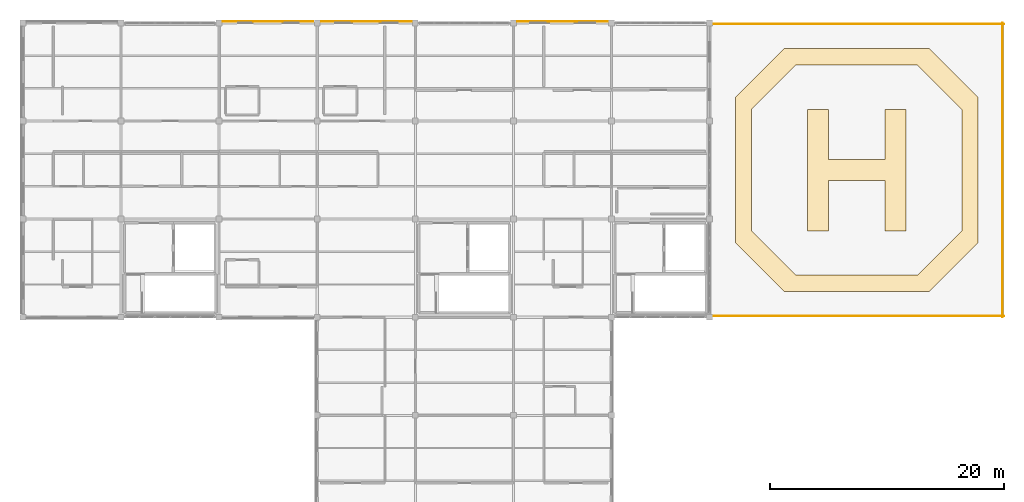
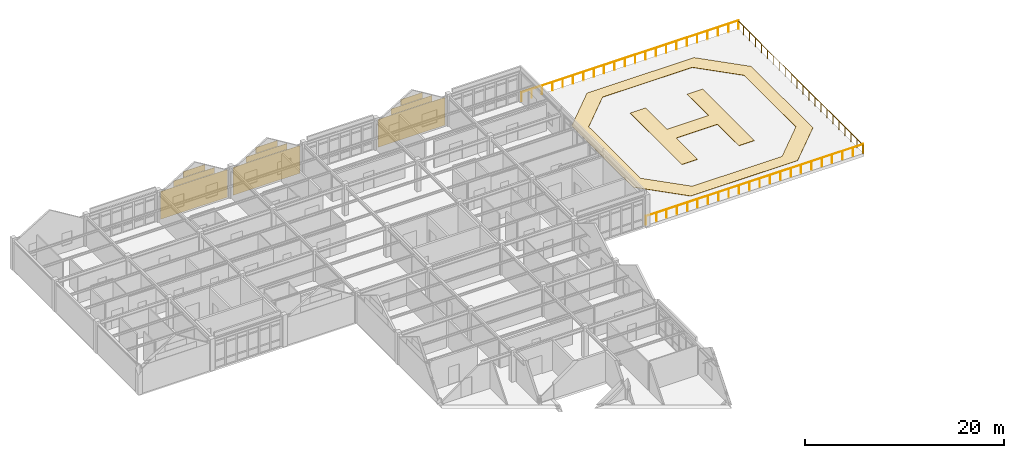
# One storey, part 45 of 45: 11 coverings, 3 railings.
"""IFC4 building model written with IfcOpenShell, lengths in metres."""

from ifc_helpers import new_model, si_unit, direction, frame, origin, origin_2d, place, context, subcontext, project, spatial, polyline, rectangle, circle, outline, extrude, material, layer, layer_set, type_object, element, save


model = new_model("IFC4")

# Units and contexts
model_context = context("Model", 3, precision=1e-05, world=origin(), true_north=direction((0.0, 1.0)))
body_context = subcontext(model_context, "Body", "Model", "MODEL_VIEW")
ifc_project = project(units=[si_unit("LENGTHUNIT", "METRE"), si_unit("AREAUNIT", "SQUARE_METRE"), si_unit("VOLUMEUNIT", "CUBIC_METRE"), si_unit("PLANEANGLEUNIT", "RADIAN"), si_unit("MASSUNIT", "GRAM", prefix="KILO")], contexts=[model_context])

# Site, building, storey
site_placement = place(None, origin())
site = spatial("IfcSite", under=ifc_project, at=site_placement, CompositionType="ELEMENT")
building_placement = place(site_placement, origin())
building = spatial("IfcBuilding", under=site, at=building_placement, Name="Bramfleet General Hospital", CompositionType="ELEMENT")
storey_placement = place(building_placement, frame((0.0, 0.0, 30.300048828125)))
storey = spatial("IfcBuildingStorey", under=building, at=storey_placement, Name="L07", CompositionType="ELEMENT", Elevation=30.300048828125)

# Coverings
ifc_material_1 = material(Name="Ventilated European larch timber cladding", Category="wood")
ifc_layer_1 = layer(ifc_material_1, 0.028076171875, Name="COV-WOOD-CLAD")
ifc_layer_set_1 = layer_set([ifc_layer_1], Name="Ventilated European larch timber cladding")
covering_type_1 = type_object("IfcCoveringType", Name="COV-WOOD-CLAD", PredefinedType="CLADDING", material=ifc_layer_set_1)
covering_1_placement = place(storey_placement, frame((88.199951171875, 117.714111328125, -0.009765625), z_axis=(0.0, 0.0, 1.0), x_axis=(1.0, 0.0, 0.0)))
element("IfcCovering", 1, at=covering_1_placement, inside=storey, type_object=covering_type_1, Name="L07 Patient House Timber Cladding 25", PredefinedType="CLADDING", context=body_context, shape_type="SweptSolid", body=[
    extrude(rectangle(XDim=7.75, YDim=0.028076171875, at=origin_2d()), origin(), (0.0, 0.0, 1.0), 3.409912109375),
])
covering_2_placement = place(storey_placement, frame((88.199951171875, 117.714111328125, 3.447265625), z_axis=(0.0, 0.0, 1.0), x_axis=(1.0, 0.0, 0.0)))
element("IfcCovering", 2, at=covering_2_placement, inside=storey, type_object=covering_type_1, Name="L07 Patient House Gable Timber Cladding 26", PredefinedType="CLADDING", context=body_context, shape_type="SweptSolid", body=[
    extrude(rectangle(XDim=4.742919921875, YDim=0.028076171875, at=origin_2d()), origin(), (0.0, 0.0, 1.0), 0.7080078125),
])
covering_3_placement = place(storey_placement, frame((88.199951171875, 117.714111328125, 4.20263671875), z_axis=(0.0, 0.0, 1.0), x_axis=(1.0, 0.0, 0.0)))
element("IfcCovering", 3, at=covering_3_placement, inside=storey, type_object=covering_type_1, Name="L07 Patient House Gable Timber Cladding 27", PredefinedType="CLADDING", context=body_context, shape_type="SweptSolid", body=[
    extrude(rectangle(XDim=2.510986328125, YDim=0.028076171875, at=origin_2d()), origin(), (0.0, 0.0, 1.0), 0.7080078125),
])
covering_4_placement = place(storey_placement, frame((96.60009765625, 117.714111328125, -0.009765625), z_axis=(0.0, 0.0, 1.0), x_axis=(1.0, 0.0, 0.0)))
element("IfcCovering", 4, at=covering_4_placement, inside=storey, type_object=covering_type_1, Name="L07 Patient House Timber Cladding 28", PredefinedType="CLADDING", context=body_context, shape_type="SweptSolid", body=[
    extrude(rectangle(XDim=7.75, YDim=0.028076171875, at=origin_2d()), origin(), (0.0, 0.0, 1.0), 3.409912109375),
])
covering_5_placement = place(storey_placement, frame((96.60009765625, 117.714111328125, 3.447265625), z_axis=(0.0, 0.0, 1.0), x_axis=(1.0, 0.0, 0.0)))
element("IfcCovering", 5, at=covering_5_placement, inside=storey, type_object=covering_type_1, Name="L07 Patient House Gable Timber Cladding 29", PredefinedType="CLADDING", context=body_context, shape_type="SweptSolid", body=[
    extrude(rectangle(XDim=4.742919921875, YDim=0.028076171875, at=origin_2d()), origin(), (0.0, 0.0, 1.0), 0.7080078125),
])
covering_6_placement = place(storey_placement, frame((96.60009765625, 117.714111328125, 4.20263671875), z_axis=(0.0, 0.0, 1.0), x_axis=(1.0, 0.0, 0.0)))
element("IfcCovering", 6, at=covering_6_placement, inside=storey, type_object=covering_type_1, Name="L07 Patient House Gable Timber Cladding 30", PredefinedType="CLADDING", context=body_context, shape_type="SweptSolid", body=[
    extrude(rectangle(XDim=2.510986328125, YDim=0.028076171875, at=origin_2d()), origin(), (0.0, 0.0, 1.0), 0.7080078125),
])
covering_7_placement = place(storey_placement, frame((113.39990234375, 117.714111328125, -0.009765625), z_axis=(0.0, 0.0, 1.0), x_axis=(1.0, 0.0, 0.0)))
element("IfcCovering", 7, at=covering_7_placement, inside=storey, type_object=covering_type_1, Name="L07 Patient House Timber Cladding 31", PredefinedType="CLADDING", context=body_context, shape_type="SweptSolid", body=[
    extrude(rectangle(XDim=7.75, YDim=0.028076171875, at=origin_2d()), origin(), (0.0, 0.0, 1.0), 3.409912109375),
])
covering_8_placement = place(storey_placement, frame((113.39990234375, 117.714111328125, 3.447265625), z_axis=(0.0, 0.0, 1.0), x_axis=(1.0, 0.0, 0.0)))
element("IfcCovering", 8, at=covering_8_placement, inside=storey, type_object=covering_type_1, Name="L07 Patient House Gable Timber Cladding 32", PredefinedType="CLADDING", context=body_context, shape_type="SweptSolid", body=[
    extrude(rectangle(XDim=4.742919921875, YDim=0.028076171875, at=origin_2d()), origin(), (0.0, 0.0, 1.0), 0.7080078125),
])
covering_9_placement = place(storey_placement, frame((113.39990234375, 117.714111328125, 4.20263671875), z_axis=(0.0, 0.0, 1.0), x_axis=(1.0, 0.0, 0.0)))
element("IfcCovering", 9, at=covering_9_placement, inside=storey, type_object=covering_type_1, Name="L07 Patient House Gable Timber Cladding 33", PredefinedType="CLADDING", context=body_context, shape_type="SweptSolid", body=[
    extrude(rectangle(XDim=2.510986328125, YDim=0.028076171875, at=origin_2d()), origin(), (0.0, 0.0, 1.0), 0.7080078125),
])
covering_10_placement = place(storey_placement, origin())
element("IfcCovering", 10, at=covering_10_placement, inside=storey, type_object=covering_type_1, Name="Helipad Hospital H Identification Marking", PredefinedType="CLADDING", context=body_context, shape_type="SweptSolid", body=[
    extrude(outline(polyline([(136.199951171875, 99.800048828125), (134.39990234375, 99.800048828125), (134.39990234375, 110.199951171875), (136.199951171875, 110.199951171875), (136.199951171875, 105.89990234375), (141.0, 105.89990234375), (141.0, 110.199951171875), (142.800048828125, 110.199951171875), (142.800048828125, 99.800048828125), (141.0, 99.800048828125), (141.0, 104.10009765625), (136.199951171875, 104.10009765625), (136.199951171875, 99.800048828125)])), origin(), (0.0, 0.0, 1.0), 0.034912109375),
])
ifc_material_2 = material(Name="Standing-seam titanium-zinc roofing")
ifc_layer_2 = layer(ifc_material_2, 0.02001953125, Name="COV-ZINC-ROOF")
ifc_layer_set_2 = layer_set([ifc_layer_2], Name="Standing-seam titanium-zinc roofing")
covering_type_2 = type_object("IfcCoveringType", Name="COV-ZINC-ROOF", PredefinedType="ROOFING", material=ifc_layer_set_2)
covering_11_placement = place(storey_placement, origin())
element("IfcCovering", 11, at=covering_11_placement, inside=storey, type_object=covering_type_2, Name="Helipad Touchdown Aiming Octagon Marking", PredefinedType="ROOFING", context=body_context, shape_type="SweptSolid", body=[
    extrude(outline(polyline([(132.39990234375, 94.60009765625), (144.800048828125, 94.60009765625), (149.0, 98.800048828125), (149.0, 111.199951171875), (144.800048828125, 115.39990234375), (132.39990234375, 115.39990234375), (128.199951171875, 111.199951171875), (128.199951171875, 98.800048828125), (132.39990234375, 94.60009765625)]), holes=[polyline([(133.39990234375, 96.0), (143.800048828125, 96.0), (147.60009765625, 99.800048828125), (147.60009765625, 110.199951171875), (143.800048828125, 114.0), (133.39990234375, 114.0), (129.60009765625, 110.199951171875), (129.60009765625, 99.800048828125), (133.39990234375, 96.0)])]), origin(), (0.0, 0.0, 1.0), 0.030029296875),
])

# Railings
ifc_material_3 = material(Name="Stainless steel 1.4401 safety balustrade", Category="steel")
railing_type = type_object("IfcRailingType", Name="RAIL-EXT-GUARD", PredefinedType="GUARDRAIL", material=ifc_material_3)
railing_1_placement = place(storey_placement, frame((126.010009765625, 92.5, 0.0)))
element("IfcRailing", 12, at=railing_1_placement, inside=storey, type_object=railing_type, Name="L07 Safety Guard Rail 217", PredefinedType="GUARDRAIL", context=body_context, shape_type="SweptSolid", body=[
    extrude(circle(Radius=0.02392578125, at=origin_2d()), frame((0.0, 0.0, 1.076171875), z_axis=(1.0, 0.0, 0.0), x_axis=(0.0, 1.0, 0.0)), (0.0, 0.0, 1.0), 25.179931640625),
    extrude(circle(Radius=0.02099609375, at=origin_2d()), origin(), (0.0, 0.0, 1.0), 1.052001953125),
    extrude(circle(Radius=0.02099609375, at=origin_2d()), frame((1.198974609375, 0.0, 0.0)), (0.0, 0.0, 1.0), 1.052001953125),
    extrude(circle(Radius=0.02099609375, at=origin_2d()), frame((2.398193359375, 0.0, 0.0)), (0.0, 0.0, 1.0), 1.052001953125),
    extrude(circle(Radius=0.02099609375, at=origin_2d()), frame((3.59716796875, 0.0, 0.0)), (0.0, 0.0, 1.0), 1.052001953125),
    extrude(circle(Radius=0.02099609375, at=origin_2d()), frame((4.796142578125, 0.0, 0.0)), (0.0, 0.0, 1.0), 1.052001953125),
    extrude(circle(Radius=0.02099609375, at=origin_2d()), frame((5.9951171875, 0.0, 0.0)), (0.0, 0.0, 1.0), 1.052001953125),
    extrude(circle(Radius=0.02099609375, at=origin_2d()), frame((7.1943359375, 0.0, 0.0)), (0.0, 0.0, 1.0), 1.052001953125),
    extrude(circle(Radius=0.02099609375, at=origin_2d()), frame((8.393310546875, 0.0, 0.0)), (0.0, 0.0, 1.0), 1.052001953125),
    extrude(circle(Radius=0.02099609375, at=origin_2d()), frame((9.59228515625, 0.0, 0.0)), (0.0, 0.0, 1.0), 1.052001953125),
    extrude(circle(Radius=0.02099609375, at=origin_2d()), frame((10.79150390625, 0.0, 0.0)), (0.0, 0.0, 1.0), 1.052001953125),
    extrude(circle(Radius=0.02099609375, at=origin_2d()), frame((11.990478515625, 0.0, 0.0)), (0.0, 0.0, 1.0), 1.052001953125),
    extrude(circle(Radius=0.02099609375, at=origin_2d()), frame((13.189453125, 0.0, 0.0)), (0.0, 0.0, 1.0), 1.052001953125),
    extrude(circle(Radius=0.02099609375, at=origin_2d()), frame((14.388427734375, 0.0, 0.0)), (0.0, 0.0, 1.0), 1.052001953125),
    extrude(circle(Radius=0.02099609375, at=origin_2d()), frame((15.587646484375, 0.0, 0.0)), (0.0, 0.0, 1.0), 1.052001953125),
    extrude(circle(Radius=0.02099609375, at=origin_2d()), frame((16.78662109375, 0.0, 0.0)), (0.0, 0.0, 1.0), 1.052001953125),
    extrude(circle(Radius=0.02099609375, at=origin_2d()), frame((17.985595703125, 0.0, 0.0)), (0.0, 0.0, 1.0), 1.052001953125),
    extrude(circle(Radius=0.02099609375, at=origin_2d()), frame((19.184814453125, 0.0, 0.0)), (0.0, 0.0, 1.0), 1.052001953125),
    extrude(circle(Radius=0.02099609375, at=origin_2d()), frame((20.3837890625, 0.0, 0.0)), (0.0, 0.0, 1.0), 1.052001953125),
    extrude(circle(Radius=0.02099609375, at=origin_2d()), frame((21.582763671875, 0.0, 0.0)), (0.0, 0.0, 1.0), 1.052001953125),
    extrude(circle(Radius=0.02099609375, at=origin_2d()), frame((22.78173828125, 0.0, 0.0)), (0.0, 0.0, 1.0), 1.052001953125),
    extrude(circle(Radius=0.02099609375, at=origin_2d()), frame((23.98095703125, 0.0, 0.0)), (0.0, 0.0, 1.0), 1.052001953125),
    extrude(circle(Radius=0.02099609375, at=origin_2d()), frame((25.179931640625, 0.0, 0.0)), (0.0, 0.0, 1.0), 1.052001953125),
])
railing_2_placement = place(storey_placement, frame((151.10009765625, 92.409912109375, 0.0)))
element("IfcRailing", 13, at=railing_2_placement, inside=storey, type_object=railing_type, Name="L07 Safety Guard Rail 218", PredefinedType="GUARDRAIL", context=body_context, shape_type="SweptSolid", body=[
    extrude(circle(Radius=0.02392578125, at=origin_2d()), frame((0.0, 0.0, 1.076171875), z_axis=(0.0, 1.0, 0.0), x_axis=(-1.0, 0.0, 0.0)), (0.0, 0.0, 1.0), 25.18017578125),
    extrude(circle(Radius=0.02099609375, at=origin_2d()), origin(), (0.0, 0.0, 1.0), 1.052001953125),
    extrude(circle(Radius=0.02099609375, at=origin_2d()), frame((0.0, 1.198974609375, 0.0)), (0.0, 0.0, 1.0), 1.052001953125),
    extrude(circle(Radius=0.02099609375, at=origin_2d()), frame((0.0, 2.398193359375, 0.0)), (0.0, 0.0, 1.0), 1.052001953125),
    extrude(circle(Radius=0.02099609375, at=origin_2d()), frame((0.0, 3.59716796875, 0.0)), (0.0, 0.0, 1.0), 1.052001953125),
    extrude(circle(Radius=0.02099609375, at=origin_2d()), frame((0.0, 4.796142578125, 0.0)), (0.0, 0.0, 1.0), 1.052001953125),
    extrude(circle(Radius=0.02099609375, at=origin_2d()), frame((0.0, 5.995361328125, 0.0)), (0.0, 0.0, 1.0), 1.052001953125),
    extrude(circle(Radius=0.02099609375, at=origin_2d()), frame((0.0, 7.1943359375, 0.0)), (0.0, 0.0, 1.0), 1.052001953125),
    extrude(circle(Radius=0.02099609375, at=origin_2d()), frame((0.0, 8.393310546875, 0.0)), (0.0, 0.0, 1.0), 1.052001953125),
    extrude(circle(Radius=0.02099609375, at=origin_2d()), frame((0.0, 9.592529296875, 0.0)), (0.0, 0.0, 1.0), 1.052001953125),
    extrude(circle(Radius=0.02099609375, at=origin_2d()), frame((0.0, 10.79150390625, 0.0)), (0.0, 0.0, 1.0), 1.052001953125),
    extrude(circle(Radius=0.02099609375, at=origin_2d()), frame((0.0, 11.990478515625, 0.0)), (0.0, 0.0, 1.0), 1.052001953125),
    extrude(circle(Radius=0.02099609375, at=origin_2d()), frame((0.0, 13.189697265625, 0.0)), (0.0, 0.0, 1.0), 1.052001953125),
    extrude(circle(Radius=0.02099609375, at=origin_2d()), frame((0.0, 14.388671875, 0.0)), (0.0, 0.0, 1.0), 1.052001953125),
    extrude(circle(Radius=0.02099609375, at=origin_2d()), frame((0.0, 15.587646484375, 0.0)), (0.0, 0.0, 1.0), 1.052001953125),
    extrude(circle(Radius=0.02099609375, at=origin_2d()), frame((0.0, 16.786865234375, 0.0)), (0.0, 0.0, 1.0), 1.052001953125),
    extrude(circle(Radius=0.02099609375, at=origin_2d()), frame((0.0, 17.98583984375, 0.0)), (0.0, 0.0, 1.0), 1.052001953125),
    extrude(circle(Radius=0.02099609375, at=origin_2d()), frame((0.0, 19.184814453125, 0.0)), (0.0, 0.0, 1.0), 1.052001953125),
    extrude(circle(Radius=0.02099609375, at=origin_2d()), frame((0.0, 20.384033203125, 0.0)), (0.0, 0.0, 1.0), 1.052001953125),
    extrude(circle(Radius=0.02099609375, at=origin_2d()), frame((0.0, 21.5830078125, 0.0)), (0.0, 0.0, 1.0), 1.052001953125),
    extrude(circle(Radius=0.02099609375, at=origin_2d()), frame((0.0, 22.781982421875, 0.0)), (0.0, 0.0, 1.0), 1.052001953125),
    extrude(circle(Radius=0.02099609375, at=origin_2d()), frame((0.0, 23.981201171875, 0.0)), (0.0, 0.0, 1.0), 1.052001953125),
    extrude(circle(Radius=0.02099609375, at=origin_2d()), frame((0.0, 25.18017578125, 0.0)), (0.0, 0.0, 1.0), 1.052001953125),
])
railing_3_placement = place(storey_placement, frame((151.18994140625, 117.5, 0.0)))
element("IfcRailing", 14, at=railing_3_placement, inside=storey, type_object=railing_type, Name="L07 Safety Guard Rail 219", PredefinedType="GUARDRAIL", context=body_context, shape_type="SweptSolid", body=[
    extrude(circle(Radius=0.02392578125, at=origin_2d()), frame((0.0, 0.0, 1.076171875), z_axis=(-1.0, 0.0, 0.0), x_axis=(0.0, -1.0, 0.0)), (0.0, 0.0, 1.0), 25.179931640625),
    extrude(circle(Radius=0.02099609375, at=origin_2d()), origin(), (0.0, 0.0, 1.0), 1.052001953125),
    extrude(circle(Radius=0.02099609375, at=origin_2d()), frame((-1.198974609375, 0.0, 0.0)), (0.0, 0.0, 1.0), 1.052001953125),
    extrude(circle(Radius=0.02099609375, at=origin_2d()), frame((-2.398193359375, 0.0, 0.0)), (0.0, 0.0, 1.0), 1.052001953125),
    extrude(circle(Radius=0.02099609375, at=origin_2d()), frame((-3.59716796875, 0.0, 0.0)), (0.0, 0.0, 1.0), 1.052001953125),
    extrude(circle(Radius=0.02099609375, at=origin_2d()), frame((-4.796142578125, 0.0, 0.0)), (0.0, 0.0, 1.0), 1.052001953125),
    extrude(circle(Radius=0.02099609375, at=origin_2d()), frame((-5.9951171875, 0.0, 0.0)), (0.0, 0.0, 1.0), 1.052001953125),
    extrude(circle(Radius=0.02099609375, at=origin_2d()), frame((-7.1943359375, 0.0, 0.0)), (0.0, 0.0, 1.0), 1.052001953125),
    extrude(circle(Radius=0.02099609375, at=origin_2d()), frame((-8.393310546875, 0.0, 0.0)), (0.0, 0.0, 1.0), 1.052001953125),
    extrude(circle(Radius=0.02099609375, at=origin_2d()), frame((-9.59228515625, 0.0, 0.0)), (0.0, 0.0, 1.0), 1.052001953125),
    extrude(circle(Radius=0.02099609375, at=origin_2d()), frame((-10.79150390625, 0.0, 0.0)), (0.0, 0.0, 1.0), 1.052001953125),
    extrude(circle(Radius=0.02099609375, at=origin_2d()), frame((-11.990478515625, 0.0, 0.0)), (0.0, 0.0, 1.0), 1.052001953125),
    extrude(circle(Radius=0.02099609375, at=origin_2d()), frame((-13.189453125, 0.0, 0.0)), (0.0, 0.0, 1.0), 1.052001953125),
    extrude(circle(Radius=0.02099609375, at=origin_2d()), frame((-14.388427734375, 0.0, 0.0)), (0.0, 0.0, 1.0), 1.052001953125),
    extrude(circle(Radius=0.02099609375, at=origin_2d()), frame((-15.587646484375, 0.0, 0.0)), (0.0, 0.0, 1.0), 1.052001953125),
    extrude(circle(Radius=0.02099609375, at=origin_2d()), frame((-16.78662109375, 0.0, 0.0)), (0.0, 0.0, 1.0), 1.052001953125),
    extrude(circle(Radius=0.02099609375, at=origin_2d()), frame((-17.985595703125, 0.0, 0.0)), (0.0, 0.0, 1.0), 1.052001953125),
    extrude(circle(Radius=0.02099609375, at=origin_2d()), frame((-19.184814453125, 0.0, 0.0)), (0.0, 0.0, 1.0), 1.052001953125),
    extrude(circle(Radius=0.02099609375, at=origin_2d()), frame((-20.3837890625, 0.0, 0.0)), (0.0, 0.0, 1.0), 1.052001953125),
    extrude(circle(Radius=0.02099609375, at=origin_2d()), frame((-21.582763671875, 0.0, 0.0)), (0.0, 0.0, 1.0), 1.052001953125),
    extrude(circle(Radius=0.02099609375, at=origin_2d()), frame((-22.78173828125, 0.0, 0.0)), (0.0, 0.0, 1.0), 1.052001953125),
    extrude(circle(Radius=0.02099609375, at=origin_2d()), frame((-23.98095703125, 0.0, 0.0)), (0.0, 0.0, 1.0), 1.052001953125),
    extrude(circle(Radius=0.02099609375, at=origin_2d()), frame((-25.179931640625, 0.0, 0.0)), (0.0, 0.0, 1.0), 1.052001953125),
])

save(model, "model.ifc")
